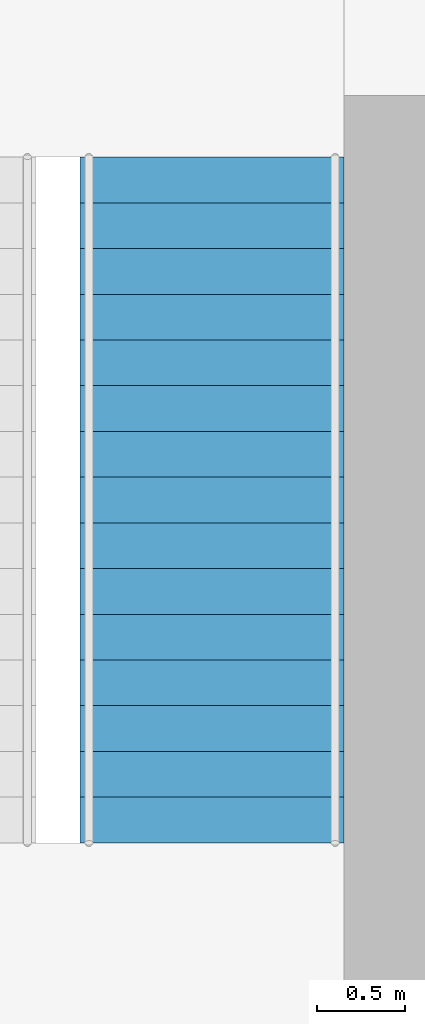
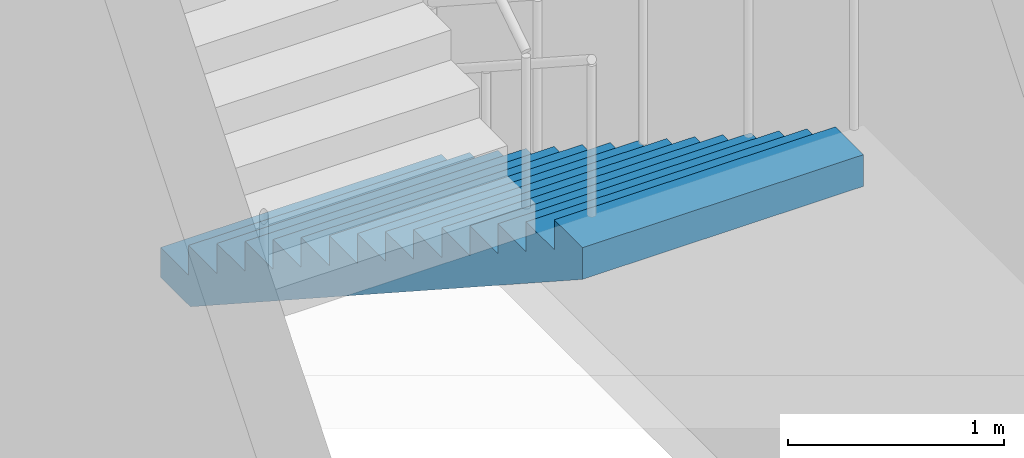
# One storey, part 6 of 7: 1 stair flight, 1 element without a shape of its own.
"""IFC4 building model written with IfcOpenShell, lengths in metres."""

import ifcopenshell
import ifcopenshell.guid

model = None  # the IFC model being written
_history = None  # IfcOwnerHistory: only IFC2X3 demands one
_inside = {}  # id of a spatial element -> (the spatial element, [elements in it])
_under = {}  # id of a project, library or spatial element -> (it, [spatial elements below it])
_declared = {}  # id of a project -> (the project, [libraries it declares])
_typed = {}  # id of a type object -> (the type object, [elements of that type])
_made_of = {}  # id of a material, layer set ... -> (it, [elements and type objects made of it])


def new_model(schema):
    """Start an empty IFC model of exactly this schema.

    Asked for "IFC4X3", IfcOpenShell would pick the latest addendum, in which some entities
    have other attributes; the version numbers below select the first issue.
    IFC2X3 requires an IfcOwnerHistory on every rooted entity: one is made here for all.
    """
    global model, _history
    if schema == "IFC4X3":
        model = ifcopenshell.file(schema_version=(4, 3, 0, 0))
    else:
        model = ifcopenshell.file(schema=schema)
    _inside.clear()
    _under.clear()
    _declared.clear()
    _typed.clear()
    _made_of.clear()
    _history = None
    if model.schema == "IFC2X3":
        org = make("IfcOrganization", Name="unknown")
        user = make(
            "IfcPersonAndOrganization",
            ThePerson=make("IfcPerson", FamilyName="unknown"),
            TheOrganization=org,
        )
        app = make(
            "IfcApplication",
            ApplicationDeveloper=org,
            Version="unknown",
            ApplicationFullName="unknown",
            ApplicationIdentifier="unknown",
        )
        _history = make(
            "IfcOwnerHistory",
            OwningUser=user,
            OwningApplication=app,
            ChangeAction="ADDED",
            CreationDate=0,
        )
    return model


def make(cls, **values):
    """One entity of the class cls with the attributes given. An attribute that is None is left unset."""
    return model.create_entity(
        cls, **{name: value for name, value in values.items() if value is not None}
    )


def rooted(cls, **values):
    """An entity with a GlobalId (a new one), such as an element, a storey or a relation."""
    return make(cls, GlobalId=ifcopenshell.guid.new(), OwnerHistory=_history, **values)


def si_unit(unit_type, name, prefix=None):
    """IfcSIUnit, for example si_unit("LENGTHUNIT", "METRE", prefix="MILLI")."""
    return make("IfcSIUnit", UnitType=unit_type, Prefix=prefix, Name=name)


def assignment(units):
    """IfcUnitAssignment: the units of a project."""
    return None if units is None else make("IfcUnitAssignment", Units=units)


def point(xyz):
    """IfcCartesianPoint."""
    return None if xyz is None else make("IfcCartesianPoint", Coordinates=xyz)


def direction(xyz):
    """IfcDirection."""
    return None if xyz is None else make("IfcDirection", DirectionRatios=xyz)


def frame(location, z_axis=None, x_axis=None):
    """IfcAxis2Placement3D, a coordinate frame: its origin and axes. An axis left out is left unset."""
    return make(
        "IfcAxis2Placement3D",
        Location=point(location),
        Axis=direction(z_axis),
        RefDirection=direction(x_axis),
    )


def origin():
    """The frame at (0, 0, 0) with its axes left unset."""
    return frame((0.0, 0.0, 0.0))


def place(relative_to, where):
    """IfcLocalPlacement: puts the frame where relative to a parent placement (None: the world)."""
    return make(
        "IfcLocalPlacement", PlacementRelTo=relative_to, RelativePlacement=where
    )


def context(
    kind, dimensions, precision=None, world=None, true_north=None, identifier=None
):
    """IfcGeometricRepresentationContext, for example the 3D "Model" context."""
    return make(
        "IfcGeometricRepresentationContext",
        ContextIdentifier=identifier,
        ContextType=kind,
        CoordinateSpaceDimension=dimensions,
        Precision=precision,
        WorldCoordinateSystem=world,
        TrueNorth=true_north,
    )


def subcontext(parent, identifier, kind, view, scale=None):
    """IfcGeometricRepresentationSubContext, for example "Body" below "Model"."""
    return make(
        "IfcGeometricRepresentationSubContext",
        ContextIdentifier=identifier,
        ContextType=kind,
        ParentContext=parent,
        TargetScale=scale,
        TargetView=view,
    )


def project(units=None, contexts=None):
    """IfcProject with its units and contexts."""
    return rooted(
        "IfcProject",
        Name="project",
        RepresentationContexts=contexts,
        UnitsInContext=assignment(units),
    )


def spatial(cls, under=None, at=None, **own):
    """A site, building, storey or space (cls), placed at a placement, below another one or the project."""
    s = rooted(cls, ObjectPlacement=at, **own)
    if under is not None:
        _under.setdefault(under.id(), (under, []))[1].append(s)
    return s


def polyline(points):
    """IfcPolyline through the points."""
    return make("IfcPolyline", Points=[point(p) for p in points])


def outline(outer, holes=None, kind="AREA"):
    """IfcArbitraryClosedProfileDef: a profile drawn as a closed curve; with holes, ...WithVoids."""
    if holes is None:
        return make("IfcArbitraryClosedProfileDef", ProfileType=kind, OuterCurve=outer)
    return make(
        "IfcArbitraryProfileDefWithVoids",
        ProfileType=kind,
        OuterCurve=outer,
        InnerCurves=holes,
    )


def extrude(swept, where, along, depth):
    """IfcExtrudedAreaSolid: the profile swept, set in the frame where, extruded along a direction by depth."""
    return make(
        "IfcExtrudedAreaSolid",
        SweptArea=swept,
        Position=where,
        ExtrudedDirection=direction(along),
        Depth=depth,
    )


def shape(context_of_items, identifier, shape_type, items):
    """IfcShapeRepresentation: the items that make up one representation, for example the "Body"."""
    return make(
        "IfcShapeRepresentation",
        ContextOfItems=context_of_items,
        RepresentationIdentifier=identifier,
        RepresentationType=shape_type,
        Items=items,
    )


def material(Name=None, Category=None):
    """IfcMaterial."""
    return make("IfcMaterial", Name=Name, Category=Category)


def made_of(thing, what):
    """Note that an element or type object is made of a material, layer set ...; save() writes the relation."""
    if what is not None:
        _made_of.setdefault(what.id(), (what, []))[1].append(thing)
    return thing


def type_object(cls, material=None, **own):
    """A type object (cls), such as IfcWallType, which elements share."""
    return made_of(rooted(cls, **own), material)


def element(
    cls,
    number,
    at=None,
    inside=None,
    cuts=None,
    type_object=None,
    material=None,
    context=None,
    identifier="Body",
    shape_type=None,
    held_by="IfcProductDefinitionShape",
    body=None,
    shapes=None,
    **own,
):
    """One element of the class cls, such as IfcWall. Its Tag is "e" and its number.

    at: its placement. inside: the storey or other place that contains it. cuts: it is an
    opening in that element (IfcRelVoidsElement). A single representation is given by context,
    identifier, shape_type and body (its items); several are given by shapes. held_by: the class
    of the entity that holds the representations. save() writes the other relations.
    """
    e = rooted(cls, Tag="e%d" % number, ObjectPlacement=at, **own)
    if body is not None:
        shapes = [shape(context, identifier, shape_type, body)]
    if shapes is not None:
        e.Representation = make(held_by, Representations=shapes)
    if inside is not None:
        _inside.setdefault(inside.id(), (inside, []))[1].append(e)
    if cuts is not None:
        rooted(
            "IfcRelVoidsElement", RelatingBuildingElement=cuts, RelatedOpeningElement=e
        )
    if type_object is not None:
        _typed.setdefault(type_object.id(), (type_object, []))[1].append(e)
    return made_of(e, material)


def aggregate(whole, parts):
    """IfcRelAggregates: a whole, such as a stair, and the parts it consists of."""
    return rooted("IfcRelAggregates", RelatingObject=whole, RelatedObjects=parts)


def save(model, path):
    """Write the relations noted so far, then the file.

    IfcRelAggregates (storeys below a building ...), IfcRelContainedInSpatialStructure (elements
    in a storey), IfcRelDefinesByType, IfcRelAssociatesMaterial and IfcRelDeclares: one each for
    every whole, place, type object, material and project.
    """
    for whole, parts in _under.values():
        aggregate(whole, parts)
    for where, things in _inside.values():
        rooted(
            "IfcRelContainedInSpatialStructure",
            RelatedElements=things,
            RelatingStructure=where,
        )
    for kind, things in _typed.values():
        rooted("IfcRelDefinesByType", RelatedObjects=things, RelatingType=kind)
    for what, things in _made_of.values():
        rooted("IfcRelAssociatesMaterial", RelatedObjects=things, RelatingMaterial=what)
    for by, libraries in _declared.values():
        rooted("IfcRelDeclares", RelatingContext=by, RelatedDefinitions=libraries)
    model.write(path)


model = new_model("IFC4")

# Units and contexts
model_context = context("Model", 3, precision=1e-05, world=origin(), true_north=direction((0.0, 1.0)))
body_context = subcontext(model_context, "Body", "Model", "MODEL_VIEW")
ifc_project = project(units=[si_unit("LENGTHUNIT", "METRE"), si_unit("AREAUNIT", "SQUARE_METRE"), si_unit("VOLUMEUNIT", "CUBIC_METRE"), si_unit("PLANEANGLEUNIT", "RADIAN"), si_unit("MASSUNIT", "GRAM", prefix="KILO")], contexts=[model_context])

# Site, building, storey
site_placement = place(None, origin())
site = spatial("IfcSite", under=ifc_project, at=site_placement, CompositionType="ELEMENT")
building_placement = place(site_placement, origin())
building = spatial("IfcBuilding", under=site, at=building_placement, Name="Highveld Stack Headquarters", CompositionType="ELEMENT")
storey_placement = place(building_placement, frame((0.0, 0.0, 88.39990234375)))
storey = spatial("IfcBuildingStorey", under=building, at=storey_placement, Name="L21", CompositionType="ELEMENT", Elevation=88.39990234375)

# Stair, stair flight
ifc_material_1 = material(Name="Concrete C40/50, precast", Category="concrete")
stair_type = type_object("IfcStairType", Name="STAIR S2 HALF TURN 1500", PredefinedType="HALF_TURN_STAIR", material=ifc_material_1)
stair_placement = place(storey_placement, origin())
stair = element("IfcStair", 1, at=stair_placement, inside=storey, type_object=stair_type, Name="Stair S2 L21", PredefinedType="HALF_TURN_STAIR")
ifc_material_2 = material(Name="Concrete C40/50, precast", Category="concrete")
stair_flight_type = type_object("IfcStairFlightType", Name="STAIR FLIGHT 1500 PRECAST", PredefinedType="STRAIGHT", material=ifc_material_2)
stair_flight_placement = place(storey_placement, frame((16.85009765625, 1.25, 0.0), z_axis=(0.0, 0.0, 1.0), x_axis=(0.0, -1.0, 0.0)))
stair_flight = element("IfcStairFlight", 2, at=stair_flight_placement, type_object=stair_flight_type, Name="S2 flight 1", NumberOfRisers=16, NumberOfTreads=15, PredefinedType="STRAIGHT", RiserHeight=0.16875, TreadLength=0.26, context=body_context, shape_type="SweptSolid", body=[
    extrude(outline(polyline([(0.0, 0.0), (0.0, 0.168701171875), (0.260009765625, 0.168701171875), (0.260009765625, 0.33740234375), (0.52001953125, 0.33740234375), (0.52001953125, 0.50634765625), (0.780029296875, 0.50634765625), (0.780029296875, 0.675048828125), (1.0400390625, 0.675048828125), (1.0400390625, 0.84375), (1.300048828125, 0.84375), (1.300048828125, 1.012451171875), (1.56005859375, 1.012451171875), (1.56005859375, 1.18115234375), (1.820068359375, 1.18115234375), (1.820068359375, 1.35009765625), (2.080078125, 1.35009765625), (2.080078125, 1.518798828125), (2.340087890625, 1.518798828125), (2.340087890625, 1.6875), (2.60009765625, 1.6875), (2.60009765625, 1.856201171875), (2.860107421875, 1.856201171875), (2.860107421875, 2.02490234375), (3.1201171875, 2.02490234375), (3.1201171875, 2.19384765625), (3.3798828125, 2.19384765625), (3.3798828125, 2.362548828125), (3.639892578125, 2.362548828125), (3.639892578125, 2.53125), (3.89990234375, 2.53125), (3.89990234375, 2.699951171875), (3.89990234375, 2.3525390625), (0.275390625, 0.0), (0.0, 0.0)])), frame((0.0, 0.75, 0.0), z_axis=(0.0, -1.0, 0.0), x_axis=(1.0, 0.0, 0.0)), (0.0, 0.0, 1.0), 1.5),
])
aggregate(stair, [stair_flight])

save(model, "model.ifc")
